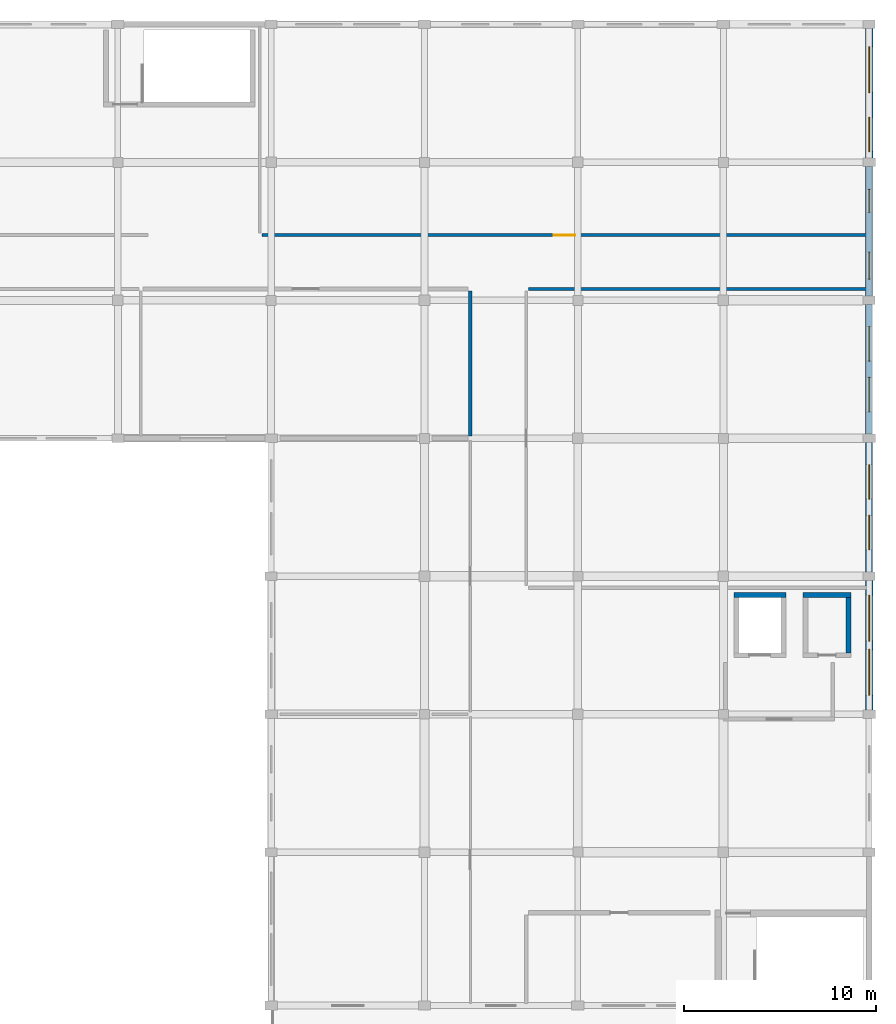
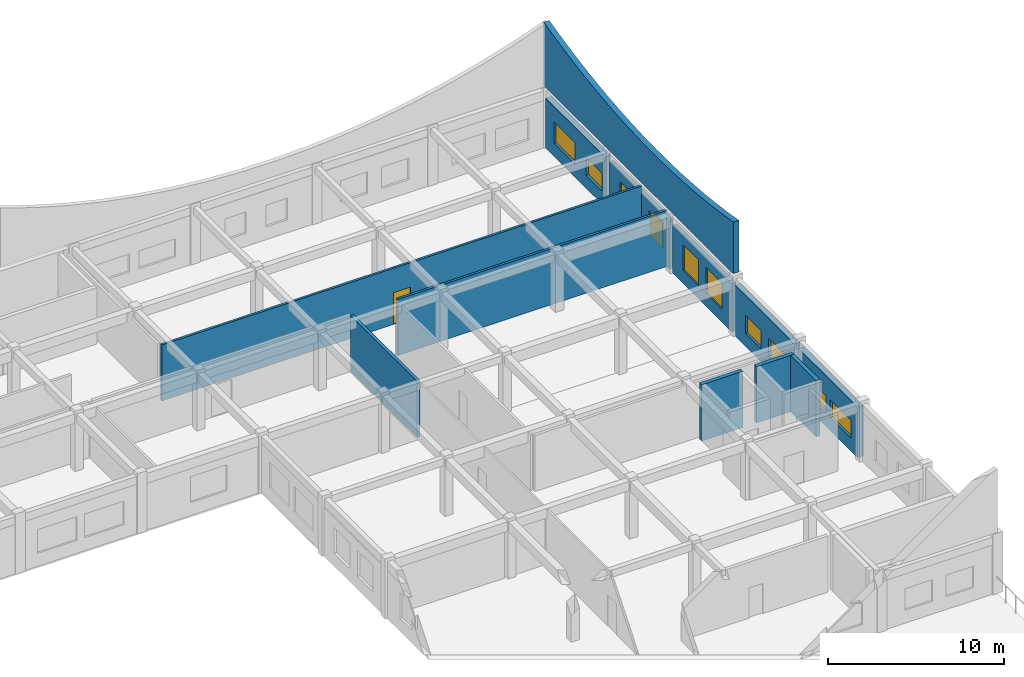
# One storey, part 7 of 10: 12 walls, 10 windows, 1 door, 11 openings.
"""IFC4 building model written with IfcOpenShell, lengths in metres."""

from ifc_helpers import new_model, si_unit, direction, frame, frame_2d, origin, place, context, subcontext, project, spatial, polyline, rectangle, outline, extrude, material, layer, layer_set, type_object, element, fill, save


model = new_model("IFC4")

# Units and contexts
model_context = context("Model", 3, precision=1e-05, world=origin(), true_north=direction((0.0, 1.0)))
body_context = subcontext(model_context, "Body", "Model", "MODEL_VIEW")
ifc_project = project(units=[si_unit("LENGTHUNIT", "METRE"), si_unit("AREAUNIT", "SQUARE_METRE"), si_unit("VOLUMEUNIT", "CUBIC_METRE"), si_unit("PLANEANGLEUNIT", "RADIAN"), si_unit("MASSUNIT", "GRAM", prefix="KILO")], contexts=[model_context])

# Site, building, storey
site_placement = place(None, origin())
site = spatial("IfcSite", under=ifc_project, at=site_placement, CompositionType="ELEMENT")
building_placement = place(site_placement, origin())
building = spatial("IfcBuilding", under=site, at=building_placement, Name="Kharva Crest Polytechnic", CompositionType="ELEMENT")
storey_placement = place(building_placement, frame((0.0, 0.0, 25.800048828125)))
storey = spatial("IfcBuildingStorey", under=building, at=storey_placement, Name="L06", CompositionType="ELEMENT", Elevation=25.800048828125)

# Wall, openings, windows
ifc_material_1 = material(Name="Kiln brick masonry", Category="masonry")
ifc_layer_1 = layer(ifc_material_1, 0.260009765625, Name="Kiln brick masonry")
ifc_layer_set_1 = layer_set([ifc_layer_1], Name="Kiln brick masonry")
wall_type_1 = type_object("IfcWallType", Name="WL-EXT-BRK-260", PredefinedType="SOLIDWALL", material=ifc_layer_set_1)
wall_1_placement = place(storey_placement, frame((184.0, 107.820068359375, 0.0), z_axis=(0.0, 0.0, 1.0), x_axis=(0.0, 1.0, 0.0)))
wall_1 = element("IfcWall", 1, at=wall_1_placement, inside=storey, type_object=wall_type_1, Name="L06 Exterior Brick Wall 471", PredefinedType="SOLIDWALL", context=body_context, shape_type="SweptSolid", body=[
    extrude(rectangle(XDim=6.760009765625, YDim=0.260009765625, at=frame_2d((3.3798828125, 0.0))), origin(), (0.0, 0.0, 1.0), 3.39501953125),
])
opening_1_placement = place(wall_1_placement, frame((0.889892578125, 0.0, 0.89990234375)))
opening_1 = element("IfcOpeningElement", 2, at=opening_1_placement, cuts=wall_1, Name="Opening W07", PredefinedType="OPENING", context=body_context, shape_type="SweptSolid", body=[
    extrude(rectangle(XDim=1.39990234375, YDim=1.800048828125, at=frame_2d((0.699951171875, 0.89990234375))), frame((0.0, 0.139892578125, 0.0), z_axis=(0.0, -1.0, 0.0), x_axis=(1.0, 0.0, 0.0)), (0.0, 0.0, 1.0), 0.280029296875),
])
opening_2_placement = place(wall_1_placement, frame((4.3701171875, 0.0, 0.89990234375)))
opening_2 = element("IfcOpeningElement", 3, at=opening_2_placement, cuts=wall_1, Name="Opening W08", PredefinedType="OPENING", context=body_context, shape_type="SweptSolid", body=[
    extrude(rectangle(XDim=1.199951171875, YDim=1.800048828125, at=frame_2d((0.60009765625, 0.89990234375))), frame((0.0, 0.139892578125, 0.0), z_axis=(0.0, -1.0, 0.0), x_axis=(1.0, 0.0, 0.0)), (0.0, 0.0, 1.0), 0.280029296875),
])
ifc_material_2 = material(Name="Anodised aluminium", Category="aluminium")
window_type_1 = type_object("IfcWindowType", Name="WIN-ALU-1200X1800", PartitioningType="SINGLE_PANEL", PredefinedType="WINDOW", material=ifc_material_2)
window_1_placement = place(opening_2_placement, origin())
window_1 = element("IfcWindow", 4, at=window_1_placement, inside=storey, type_object=window_type_1, Name="L06 Exterior Window 673", OverallHeight=1.800048828125, OverallWidth=1.199951171875, PartitioningType="SINGLE_PANEL", PredefinedType="WINDOW", context=body_context, shape_type="SweptSolid", body=[
    extrude(rectangle(XDim=1.199951171875, YDim=1.800048828125, at=frame_2d((0.60009765625, 0.89990234375))), frame((0.0, 0.030029296875, 0.0), z_axis=(0.0, -1.0, 0.0), x_axis=(1.0, 0.0, 0.0)), (0.0, 0.0, 1.0), 0.06005859375),
])
fill(opening_2, window_1)
window_type_2 = type_object("IfcWindowType", Name="WIN-ALU-1400X1800", PartitioningType="SINGLE_PANEL", PredefinedType="WINDOW", material=ifc_material_2)
window_2_placement = place(opening_1_placement, origin())
window_2 = element("IfcWindow", 5, at=window_2_placement, inside=storey, type_object=window_type_2, Name="L06 Exterior Window 672", OverallHeight=1.800048828125, OverallWidth=1.39990234375, PartitioningType="SINGLE_PANEL", PredefinedType="WINDOW", context=body_context, shape_type="SweptSolid", body=[
    extrude(rectangle(XDim=1.39990234375, YDim=1.800048828125, at=frame_2d((0.699951171875, 0.89990234375))), frame((0.0, 0.030029296875, 0.0), z_axis=(0.0, -1.0, 0.0), x_axis=(1.0, 0.0, 0.0)), (0.0, 0.0, 1.0), 0.06005859375),
])
fill(opening_1, window_2)

ifc_layer_2 = layer(ifc_material_1, 0.27490234375, Name="Kiln brick masonry")
ifc_layer_set_2 = layer_set([ifc_layer_2], Name="Kiln brick masonry")
wall_type_2 = type_object("IfcWallType", Name="WL-EXT-BRK-275", PredefinedType="SOLIDWALL", material=ifc_layer_set_2)
wall_2_placement = place(storey_placement, frame((184.0, 100.6201171875, 0.0), z_axis=(0.0, 0.0, 1.0), x_axis=(0.0, 1.0, 0.0)))
wall_2 = element("IfcWall", 6, at=wall_2_placement, inside=storey, type_object=wall_type_2, Name="L06 Exterior Brick Wall 470", PredefinedType="SOLIDWALL", context=body_context, shape_type="SweptSolid", body=[
    extrude(rectangle(XDim=6.759765625, YDim=0.27490234375, at=frame_2d((3.3798828125, 0.0))), origin(), (0.0, 0.0, 1.0), 3.35498046875),
])
opening_3_placement = place(wall_2_placement, frame((1.159912109375, 0.0, 0.89990234375)))
opening_3 = element("IfcOpeningElement", 7, at=opening_3_placement, cuts=wall_2, Name="Opening W05", PredefinedType="OPENING", context=body_context, shape_type="SweptSolid", body=[
    extrude(rectangle(XDim=1.800048828125, YDim=1.800048828125, at=frame_2d((0.89990234375, 0.89990234375))), frame((0.0, 0.1474609375, 0.0), z_axis=(0.0, -1.0, 0.0), x_axis=(1.0, 0.0, 0.0)), (0.0, 0.0, 1.0), 0.294921875),
])
opening_4_placement = place(wall_2_placement, frame((3.800048828125, 0.0, 0.89990234375)))
opening_4 = element("IfcOpeningElement", 8, at=opening_4_placement, cuts=wall_2, Name="Opening W05", PredefinedType="OPENING", context=body_context, shape_type="SweptSolid", body=[
    extrude(rectangle(XDim=1.800048828125, YDim=1.800048828125, at=frame_2d((0.89990234375, 0.89990234375))), frame((0.0, 0.1474609375, 0.0), z_axis=(0.0, -1.0, 0.0), x_axis=(1.0, 0.0, 0.0)), (0.0, 0.0, 1.0), 0.294921875),
])
window_type_3 = type_object("IfcWindowType", Name="WIN-ALU-1800X1800", PartitioningType="SINGLE_PANEL", PredefinedType="WINDOW", material=ifc_material_2)
window_3_placement = place(opening_3_placement, origin())
window_3 = element("IfcWindow", 9, at=window_3_placement, inside=storey, type_object=window_type_3, Name="L06 Exterior Window 670", OverallHeight=1.800048828125, OverallWidth=1.800048828125, PartitioningType="SINGLE_PANEL", PredefinedType="WINDOW", context=body_context, shape_type="SweptSolid", body=[
    extrude(rectangle(XDim=1.800048828125, YDim=1.800048828125, at=frame_2d((0.89990234375, 0.89990234375))), frame((0.0, 0.030029296875, 0.0), z_axis=(0.0, -1.0, 0.0), x_axis=(1.0, 0.0, 0.0)), (0.0, 0.0, 1.0), 0.06005859375),
])
fill(opening_3, window_3)
window_4_placement = place(opening_4_placement, origin())
window_4 = element("IfcWindow", 10, at=window_4_placement, inside=storey, type_object=window_type_3, Name="L06 Exterior Window 671", OverallHeight=1.800048828125, OverallWidth=1.800048828125, PartitioningType="SINGLE_PANEL", PredefinedType="WINDOW", context=body_context, shape_type="SweptSolid", body=[
    extrude(rectangle(XDim=1.800048828125, YDim=1.800048828125, at=frame_2d((0.89990234375, 0.89990234375))), frame((0.0, 0.030029296875, 0.0), z_axis=(0.0, -1.0, 0.0), x_axis=(1.0, 0.0, 0.0)), (0.0, 0.0, 1.0), 0.06005859375),
])
fill(opening_4, window_4)

ifc_layer_3 = layer(ifc_material_1, 0.364990234375, Name="Kiln brick masonry")
ifc_layer_set_3 = layer_set([ifc_layer_3], Name="Kiln brick masonry")
wall_type_3 = type_object("IfcWallType", Name="WL-EXT-BRK-365", PredefinedType="SOLIDWALL", material=ifc_layer_set_3)
wall_3_placement = place(storey_placement, frame((184.0, 93.419921875, 0.0), z_axis=(0.0, 0.0, 1.0), x_axis=(0.0, 1.0, 0.0)))
wall_3 = element("IfcWall", 11, at=wall_3_placement, inside=storey, type_object=wall_type_3, Name="L06 Exterior Brick Wall 509", PredefinedType="SOLIDWALL", context=body_context, shape_type="SweptSolid", body=[
    extrude(rectangle(XDim=6.760009765625, YDim=0.364990234375, at=frame_2d((3.3798828125, 0.0))), origin(), (0.0, 0.0, 1.0), 3.534912109375),
])
opening_5_placement = place(wall_3_placement, frame((1.159912109375, 0.0, 0.89990234375)))
opening_5 = element("IfcOpeningElement", 12, at=opening_5_placement, cuts=wall_3, Name="Opening W19", PredefinedType="OPENING", context=body_context, shape_type="SweptSolid", body=[
    extrude(rectangle(XDim=1.800048828125, YDim=1.25, at=frame_2d((0.89990234375, 0.625))), frame((0.0, 0.1923828125, 0.0), z_axis=(0.0, -1.0, 0.0), x_axis=(1.0, 0.0, 0.0)), (0.0, 0.0, 1.0), 0.385009765625),
])
opening_6_placement = place(wall_3_placement, frame((3.800048828125, 0.0, 0.89990234375)))
opening_6 = element("IfcOpeningElement", 13, at=opening_6_placement, cuts=wall_3, Name="Opening W19", PredefinedType="OPENING", context=body_context, shape_type="SweptSolid", body=[
    extrude(rectangle(XDim=1.800048828125, YDim=1.25, at=frame_2d((0.89990234375, 0.625))), frame((0.0, 0.1923828125, 0.0), z_axis=(0.0, -1.0, 0.0), x_axis=(1.0, 0.0, 0.0)), (0.0, 0.0, 1.0), 0.385009765625),
])
window_type_4 = type_object("IfcWindowType", Name="WIN-ALU-1800X1250", PartitioningType="SINGLE_PANEL", PredefinedType="WINDOW", material=ifc_material_2)
window_5_placement = place(opening_5_placement, origin())
window_5 = element("IfcWindow", 14, at=window_5_placement, inside=storey, type_object=window_type_4, Name="L06 Exterior Window 732", OverallHeight=1.25, OverallWidth=1.800048828125, PartitioningType="SINGLE_PANEL", PredefinedType="WINDOW", context=body_context, shape_type="SweptSolid", body=[
    extrude(rectangle(XDim=1.800048828125, YDim=1.25, at=frame_2d((0.89990234375, 0.625))), frame((0.0, 0.030029296875, 0.0), z_axis=(0.0, -1.0, 0.0), x_axis=(1.0, 0.0, 0.0)), (0.0, 0.0, 1.0), 0.06005859375),
])
fill(opening_5, window_5)
window_6_placement = place(opening_6_placement, origin())
window_6 = element("IfcWindow", 15, at=window_6_placement, inside=storey, type_object=window_type_4, Name="L06 Exterior Window 733", OverallHeight=1.25, OverallWidth=1.800048828125, PartitioningType="SINGLE_PANEL", PredefinedType="WINDOW", context=body_context, shape_type="SweptSolid", body=[
    extrude(rectangle(XDim=1.800048828125, YDim=1.25, at=frame_2d((0.89990234375, 0.625))), frame((0.0, 0.030029296875, 0.0), z_axis=(0.0, -1.0, 0.0), x_axis=(1.0, 0.0, 0.0)), (0.0, 0.0, 1.0), 0.06005859375),
])
fill(opening_6, window_6)

ifc_layer_4 = layer(ifc_material_1, 0.3798828125, Name="Kiln brick masonry")
ifc_layer_set_4 = layer_set([ifc_layer_4], Name="Kiln brick masonry")
wall_type_4 = type_object("IfcWallType", Name="WL-EXT-BRK-380", PredefinedType="SOLIDWALL", material=ifc_layer_set_4)
wall_4_placement = place(storey_placement, frame((184.0, 115.02001953125, 0.0), z_axis=(0.0, 0.0, 1.0), x_axis=(0.0, 1.0, 0.0)))
wall_4 = element("IfcWall", 16, at=wall_4_placement, inside=storey, type_object=wall_type_4, Name="L06 Exterior Brick Wall 472", PredefinedType="SOLIDWALL", context=body_context, shape_type="SweptSolid", body=[
    extrude(rectangle(XDim=6.760009765625, YDim=0.3798828125, at=frame_2d((3.3798828125, 0.0))), origin(), (0.0, 0.0, 1.0), 3.454833984375),
])
opening_7_placement = place(wall_4_placement, frame((0.3349609375, 0.0, 0.89990234375)))
opening_7 = element("IfcOpeningElement", 17, at=opening_7_placement, cuts=wall_4, Name="Opening W19", PredefinedType="OPENING", context=body_context, shape_type="SweptSolid", body=[
    extrude(rectangle(XDim=1.800048828125, YDim=1.25, at=frame_2d((0.89990234375, 0.625))), frame((0.0, 0.199951171875, 0.0), z_axis=(0.0, -1.0, 0.0), x_axis=(1.0, 0.0, 0.0)), (0.0, 0.0, 1.0), 0.39990234375),
])
opening_8_placement = place(wall_4_placement, frame((3.4150390625, 0.0, 0.89990234375)))
opening_8 = element("IfcOpeningElement", 18, at=opening_8_placement, cuts=wall_4, Name="Opening W10", PredefinedType="OPENING", context=body_context, shape_type="SweptSolid", body=[
    extrude(rectangle(XDim=2.39990234375, YDim=1.5, at=frame_2d((1.199951171875, 0.75))), frame((0.0, 0.199951171875, 0.0), z_axis=(0.0, -1.0, 0.0), x_axis=(1.0, 0.0, 0.0)), (0.0, 0.0, 1.0), 0.39990234375),
])
window_7_placement = place(opening_7_placement, origin())
window_7 = element("IfcWindow", 19, at=window_7_placement, inside=storey, type_object=window_type_4, Name="L06 Exterior Window 674", OverallHeight=1.25, OverallWidth=1.800048828125, PartitioningType="SINGLE_PANEL", PredefinedType="WINDOW", context=body_context, shape_type="SweptSolid", body=[
    extrude(rectangle(XDim=1.800048828125, YDim=1.25, at=frame_2d((0.89990234375, 0.625))), frame((0.0, 0.030029296875, 0.0), z_axis=(0.0, -1.0, 0.0), x_axis=(1.0, 0.0, 0.0)), (0.0, 0.0, 1.0), 0.06005859375),
])
fill(opening_7, window_7)
window_type_5 = type_object("IfcWindowType", Name="WIN-ALU-2400X1500", PartitioningType="SINGLE_PANEL", PredefinedType="WINDOW", material=ifc_material_2)
window_8_placement = place(opening_8_placement, origin())
window_8 = element("IfcWindow", 20, at=window_8_placement, inside=storey, type_object=window_type_5, Name="L06 Exterior Window 675", OverallHeight=1.5, OverallWidth=2.39990234375, PartitioningType="SINGLE_PANEL", PredefinedType="WINDOW", context=body_context, shape_type="SweptSolid", body=[
    extrude(rectangle(XDim=2.39990234375, YDim=1.5, at=frame_2d((1.199951171875, 0.75))), frame((0.0, 0.030029296875, 0.0), z_axis=(0.0, -1.0, 0.0), x_axis=(1.0, 0.0, 0.0)), (0.0, 0.0, 1.0), 0.06005859375),
])
fill(opening_8, window_8)

wall_5_placement = place(storey_placement, frame((184.0, 86.219970703125, 0.0), z_axis=(0.0, 0.0, 1.0), x_axis=(0.0, 1.0, 0.0)))
wall_5 = element("IfcWall", 21, at=wall_5_placement, inside=storey, type_object=wall_type_4, Name="L06 Exterior Brick Wall 508", PredefinedType="SOLIDWALL", context=body_context, shape_type="SweptSolid", body=[
    extrude(rectangle(XDim=6.760009765625, YDim=0.3798828125, at=frame_2d((3.3798828125, 0.0))), origin(), (0.0, 0.0, 1.0), 3.514892578125),
])
opening_9_placement = place(wall_5_placement, frame((0.760009765625, 0.0, 0.89990234375)))
opening_9 = element("IfcOpeningElement", 22, at=opening_9_placement, cuts=wall_5, Name="Opening W17", PredefinedType="OPENING", context=body_context, shape_type="SweptSolid", body=[
    extrude(rectangle(XDim=2.39990234375, YDim=1.25, at=frame_2d((1.199951171875, 0.625))), frame((0.0, 0.199951171875, 0.0), z_axis=(0.0, -1.0, 0.0), x_axis=(1.0, 0.0, 0.0)), (0.0, 0.0, 1.0), 0.39990234375),
])
opening_10_placement = place(wall_5_placement, frame((3.60009765625, 0.0, 0.89990234375)))
opening_10 = element("IfcOpeningElement", 23, at=opening_10_placement, cuts=wall_5, Name="Opening W17", PredefinedType="OPENING", context=body_context, shape_type="SweptSolid", body=[
    extrude(rectangle(XDim=2.39990234375, YDim=1.25, at=frame_2d((1.199951171875, 0.625))), frame((0.0, 0.199951171875, 0.0), z_axis=(0.0, -1.0, 0.0), x_axis=(1.0, 0.0, 0.0)), (0.0, 0.0, 1.0), 0.39990234375),
])
window_type_6 = type_object("IfcWindowType", Name="WIN-ALU-2400X1250", PartitioningType="SINGLE_PANEL", PredefinedType="WINDOW", material=ifc_material_2)
window_9_placement = place(opening_9_placement, origin())
window_9 = element("IfcWindow", 24, at=window_9_placement, inside=storey, type_object=window_type_6, Name="L06 Exterior Window 730", OverallHeight=1.25, OverallWidth=2.39990234375, PartitioningType="SINGLE_PANEL", PredefinedType="WINDOW", context=body_context, shape_type="SweptSolid", body=[
    extrude(rectangle(XDim=2.39990234375, YDim=1.25, at=frame_2d((1.199951171875, 0.625))), frame((0.0, 0.030029296875, 0.0), z_axis=(0.0, -1.0, 0.0), x_axis=(1.0, 0.0, 0.0)), (0.0, 0.0, 1.0), 0.06005859375),
])
fill(opening_9, window_9)
window_10_placement = place(opening_10_placement, origin())
window_10 = element("IfcWindow", 25, at=window_10_placement, inside=storey, type_object=window_type_6, Name="L06 Exterior Window 731", OverallHeight=1.25, OverallWidth=2.39990234375, PartitioningType="SINGLE_PANEL", PredefinedType="WINDOW", context=body_context, shape_type="SweptSolid", body=[
    extrude(rectangle(XDim=2.39990234375, YDim=1.25, at=frame_2d((1.199951171875, 0.625))), frame((0.0, 0.030029296875, 0.0), z_axis=(0.0, -1.0, 0.0), x_axis=(1.0, 0.0, 0.0)), (0.0, 0.0, 1.0), 0.06005859375),
])
fill(opening_10, window_10)

# Walls
ifc_layer_5 = layer(ifc_material_1, 0.199951171875, Name="Kiln brick masonry")
ifc_layer_set_5 = layer_set([ifc_layer_5], Name="Kiln brick masonry")
wall_type_5 = type_object("IfcWallType", Name="WL-FIRE-FW1-200", PredefinedType="SOLIDWALL", material=ifc_layer_set_5)
wall_6_placement = place(storey_placement, frame((163.18994140625, 100.510009765625, 0.0), z_axis=(0.0, 0.0, 1.0), x_axis=(0.0, 1.0, 0.0)))
element("IfcWall", 26, at=wall_6_placement, inside=storey, type_object=wall_type_5, Name="L06 Interior Partition 399", PredefinedType="SOLIDWALL", context=body_context, shape_type="SweptSolid", body=[
    extrude(rectangle(XDim=7.570068359375, YDim=0.199951171875, at=frame_2d((3.78515625, 0.0))), origin(), (0.0, 0.0, 1.0), 3.89990234375),
])
ifc_layer_6 = layer(ifc_material_1, 0.360107421875, Name="Kiln brick masonry")
ifc_layer_set_6 = layer_set([ifc_layer_6], Name="Kiln brick masonry")
wall_type_6 = type_object("IfcWallType", Name="WL-PAR-CREST-360", PredefinedType="PARAPET", material=ifc_layer_set_6)
wall_7_placement = place(storey_placement, frame((184.0, 100.39990234375, 4.199951171875), z_axis=(0.0, 0.0, 1.0), x_axis=(0.0, 1.0, 0.0)))
element("IfcWall", 27, at=wall_7_placement, inside=storey, type_object=wall_type_6, Name="L06 Bowed Brick Gable Crest 2", PredefinedType="PARAPET", context=body_context, shape_type="SweptSolid", body=[
    extrude(outline(polyline([(0.0, 0.0), (21.60009765625, 0.0), (21.60009765625, 4.39990234375), (20.25, 4.07958984375), (18.89990234375, 3.796875), (17.550048828125, 3.55126953125), (16.199951171875, 3.342041015625), (14.85009765625, 3.169189453125), (13.5, 3.031982421875), (12.14990234375, 2.93017578125), (10.800048828125, 2.86376953125), (9.449951171875, 2.83251953125), (8.10009765625, 2.836181640625), (6.75, 2.874755859375), (5.39990234375, 2.94873046875), (4.050048828125, 3.057861328125), (2.699951171875, 3.20263671875), (1.35009765625, 3.38330078125), (0.0, 3.60009765625), (0.0, 0.0)])), frame((0.0, 0.18017578125, 0.0), z_axis=(0.0, -1.0, 0.0), x_axis=(1.0, 0.0, 0.0)), (0.0, 0.0, 1.0), 0.360107421875),
])

# Wall, opening, door
ifc_layer_7 = layer(ifc_material_1, 0.14990234375, Name="Kiln brick masonry")
ifc_layer_set_7 = layer_set([ifc_layer_7], Name="Kiln brick masonry")
wall_type_7 = type_object("IfcWallType", Name="WL-PART-150", PredefinedType="PARTITIONING", material=ifc_layer_set_7)
wall_8_placement = place(storey_placement, frame((152.31005859375, 111.0, 0.0), z_axis=(0.0, 0.0, 1.0), x_axis=(1.0, 0.0, 0.0)))
wall_8 = element("IfcWall", 28, at=wall_8_placement, inside=storey, type_object=wall_type_7, Name="L06 Interior Partition 403", PredefinedType="PARTITIONING", context=body_context, shape_type="SweptSolid", body=[
    extrude(rectangle(XDim=31.579833984375, YDim=0.14990234375, at=frame_2d((15.7900390625, 0.0))), origin(), (0.0, 0.0, 1.0), 3.89990234375),
])
opening_11_placement = place(wall_8_placement, frame((15.22998046875, 0.0, 0.0)))
opening_11 = element("IfcOpeningElement", 29, at=opening_11_placement, cuts=wall_8, Name="Opening ID9", PredefinedType="OPENING", context=body_context, shape_type="SweptSolid", body=[
    extrude(rectangle(XDim=1.1201171875, YDim=2.199951171875, at=frame_2d((0.56005859375, 1.10009765625))), frame((0.0, 0.0849609375, 0.0), z_axis=(0.0, -1.0, 0.0), x_axis=(1.0, 0.0, 0.0)), (0.0, 0.0, 1.0), 0.169921875),
])
ifc_material_3 = material(Name="Teak timber", Category="wood")
door_type = type_object("IfcDoorType", Name="DR-STD-1120X2200", OperationType="NOTDEFINED", PredefinedType="DOOR", material=ifc_material_3)
door_placement = place(opening_11_placement, origin())
door = element("IfcDoor", 30, at=door_placement, inside=storey, type_object=door_type, Name="L06 Crest Design Studio East Door", OperationType="SINGLE_SWING_RIGHT", OverallHeight=2.199951171875, OverallWidth=1.1201171875, PredefinedType="DOOR", context=body_context, shape_type="SweptSolid", body=[
    extrude(rectangle(XDim=1.1201171875, YDim=2.199951171875, at=frame_2d((0.56005859375, 1.10009765625))), frame((0.0, 0.02490234375, 0.0), z_axis=(0.0, -1.0, 0.0), x_axis=(1.0, 0.0, 0.0)), (0.0, 0.0, 1.0), 0.050048828125),
])
fill(opening_11, door)

# Walls
ifc_layer_8 = layer(ifc_material_1, 0.159912109375, Name="Kiln brick masonry")
ifc_layer_set_8 = layer_set([ifc_layer_8], Name="Kiln brick masonry")
wall_type_8 = type_object("IfcWallType", Name="WL-PART-160", PredefinedType="PARTITIONING", material=ifc_layer_set_8)
wall_9_placement = place(storey_placement, frame((166.219970703125, 108.199951171875, 0.0), z_axis=(0.0, 0.0, 1.0), x_axis=(1.0, 0.0, 0.0)))
element("IfcWall", 31, at=wall_9_placement, inside=storey, type_object=wall_type_8, Name="L06 Interior Partition 412", PredefinedType="PARTITIONING", context=body_context, shape_type="SweptSolid", body=[
    extrude(rectangle(XDim=17.669921875, YDim=0.159912109375, at=frame_2d((8.8349609375, 0.0))), origin(), (0.0, 0.0, 1.0), 3.89990234375),
])
ifc_material_4 = material(Name="Concrete C40/50", Category="concrete")
ifc_layer_9 = layer(ifc_material_4, 0.25, Name="Concrete C40/50")
ifc_layer_set_9 = layer_set([ifc_layer_9], Name="Concrete C40/50")
wall_type_9 = type_object("IfcWallType", Name="WL-SHEAR-SW1-250", PredefinedType="SHEAR", material=ifc_layer_set_9)
wall_10_placement = place(storey_placement, frame((176.949951171875, 92.22509765625, 0.0), z_axis=(0.0, 0.0, 1.0), x_axis=(1.0, 0.0, 0.0)))
element("IfcWall", 32, at=wall_10_placement, inside=storey, type_object=wall_type_9, Name="L06 Lift FL2 North Shaft Wall", PredefinedType="SHEAR", context=body_context, shape_type="SweptSolid", body=[
    extrude(rectangle(XDim=2.699951171875, YDim=0.25, at=frame_2d((1.35009765625, 0.0))), origin(), (0.0, 0.0, 1.0), 3.919921875),
])
wall_11_placement = place(storey_placement, frame((180.550048828125, 92.22509765625, 0.0), z_axis=(0.0, 0.0, 1.0), x_axis=(1.0, 0.0, 0.0)))
element("IfcWall", 33, at=wall_11_placement, inside=storey, type_object=wall_type_9, Name="L06 Core C5 Riser North Wall", PredefinedType="SHEAR", context=body_context, shape_type="SweptSolid", body=[
    extrude(rectangle(XDim=2.5, YDim=0.25, at=frame_2d((1.25, 0.0))), origin(), (0.0, 0.0, 1.0), 3.919921875),
])
wall_12_placement = place(storey_placement, frame((182.925048828125, 89.199951171875, 0.0), z_axis=(0.0, 0.0, 1.0), x_axis=(0.0, 1.0, 0.0)))
element("IfcWall", 34, at=wall_12_placement, inside=storey, type_object=wall_type_9, Name="L06 Core C5 Riser East Wall", PredefinedType="SHEAR", context=body_context, shape_type="SweptSolid", body=[
    extrude(rectangle(XDim=2.900146484375, YDim=0.25, at=frame_2d((1.4501953125, 0.0))), origin(), (0.0, 0.0, 1.0), 3.919921875),
])

save(model, "model.ifc")
